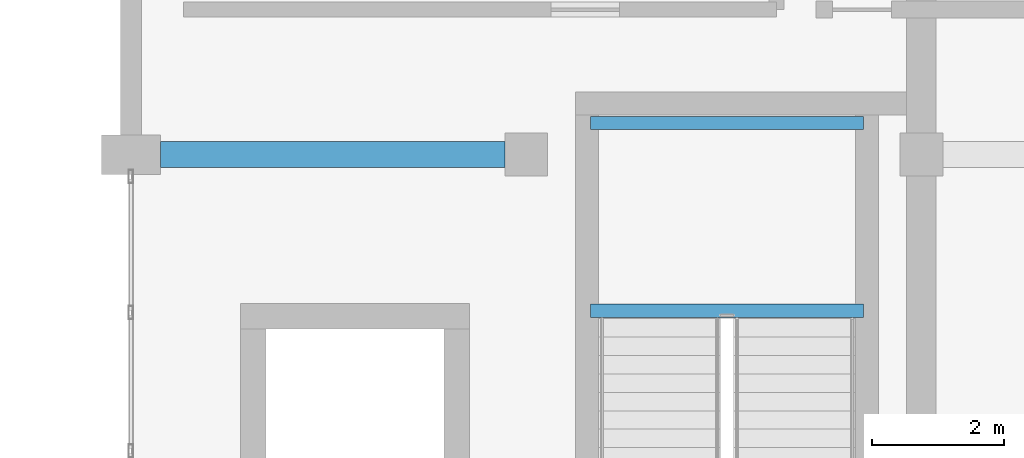
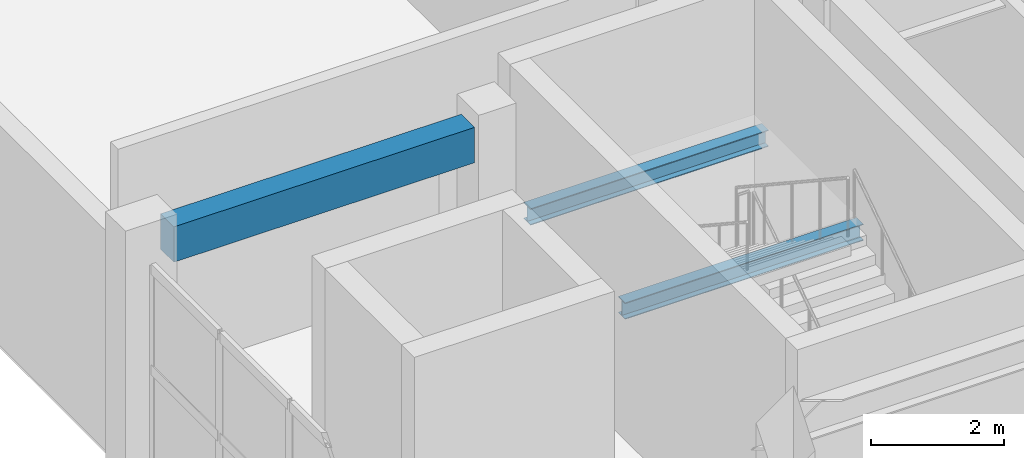
# One storey, part 10 of 62: 3 beams.
"""IFC4 building model written with IfcOpenShell, lengths in metres."""

from ifc_helpers import new_model, si_unit, direction, frame, origin, origin_2d, place, context, subcontext, project, spatial, rectangle, i_section, extrude, material, material_profile, profile_set, type_object, element, save


model = new_model("IFC4")

# Units and contexts
model_context = context("Model", 3, precision=1e-05, world=origin(), true_north=direction((0.0, 1.0)))
body_context = subcontext(model_context, "Body", "Model", "MODEL_VIEW")
ifc_project = project(units=[si_unit("LENGTHUNIT", "METRE"), si_unit("AREAUNIT", "SQUARE_METRE"), si_unit("VOLUMEUNIT", "CUBIC_METRE"), si_unit("PLANEANGLEUNIT", "RADIAN"), si_unit("MASSUNIT", "GRAM", prefix="KILO")], contexts=[model_context])

# Site, building, storey
site_placement = place(None, origin())
site = spatial("IfcSite", under=ifc_project, at=site_placement, CompositionType="ELEMENT")
building_placement = place(site_placement, origin())
building = spatial("IfcBuilding", under=site, at=building_placement, Name="Vaelkrest Opera House", CompositionType="ELEMENT")
storey_placement = place(building_placement, frame((0.0, 0.0, 19.800048828125)))
storey = spatial("IfcBuildingStorey", under=building, at=storey_placement, Name="L04", CompositionType="ELEMENT", Elevation=19.800048828125)

# Beams
ifc_material_1 = material(Name="Concrete C50/60", Category="concrete")
ifc_material_profile_1 = material_profile(ifc_material_1, rectangle(XDim=0.39990234375, YDim=0.64990234375, at=origin_2d()), Name="RCB400X650")
ifc_profile_set_1 = profile_set([ifc_material_profile_1], Name="Concrete C50/60")
beam_type_1 = type_object("IfcBeamType", Name="B01", PredefinedType="BEAM", material=ifc_profile_set_1)
beam_placement = place(storey_placement, frame((-29.550048828125, -19.800048828125, 4.179931640625), z_axis=(1.0, 0.0, 0.0), x_axis=(0.0, 1.0, 0.0)))
element("IfcBeam", 1, at=beam_placement, inside=storey, type_object=beam_type_1, Name="Beam BM-V1-L04-0549", PredefinedType="BEAM", context=body_context, shape_type="SweptSolid", body=[
    extrude(rectangle(XDim=0.39990234375, YDim=0.64990234375, at=origin_2d()), origin(), (0.0, 0.0, 1.0), 5.22509765625),
])
ifc_material_2 = material(Name="Steel A992 Gr50", Category="steel")
ifc_material_profile_2 = material_profile(ifc_material_2, i_section(OverallWidth=0.202880859375, OverallDepth=0.302978515625, WebThickness=0.007568359375, FlangeThickness=0.01318359375, at=origin_2d()), Name="W12X40")
ifc_profile_set_2 = profile_set([ifc_material_profile_2], Name="Steel A992 Gr50")
beam_type_2 = type_object("IfcBeamType", Name="J02", PredefinedType="JOIST", material=ifc_profile_set_2)
for number, where, z_axis, x_axis, name in (
    (2, (-23.02001953125, -22.169921875, 2.04833984375), (1.0, 0.0, 0.0), (0.0, 1.0, 0.0), "Stair landing bearer beam ST01 L04-1N"),
    (3, (-23.02001953125, -19.320068359375, 2.04833984375), (1.0, 0.0, 0.0), (0.0, 1.0, 0.0), "Stair landing bearer beam ST01 L04-1F"),
):
    element("IfcBeam", number, at=place(storey_placement, frame(where, z_axis=z_axis, x_axis=x_axis)), inside=storey, type_object=beam_type_2, Name=name, PredefinedType="JOIST", context=body_context, shape_type="SweptSolid", body=[
        extrude(i_section(OverallWidth=0.202880859375, OverallDepth=0.302978515625, WebThickness=0.007568359375, FlangeThickness=0.01318359375, at=origin_2d()), origin(), (0.0, 0.0, 1.0), 4.14013671875),
    ])

save(model, "model.ifc")
